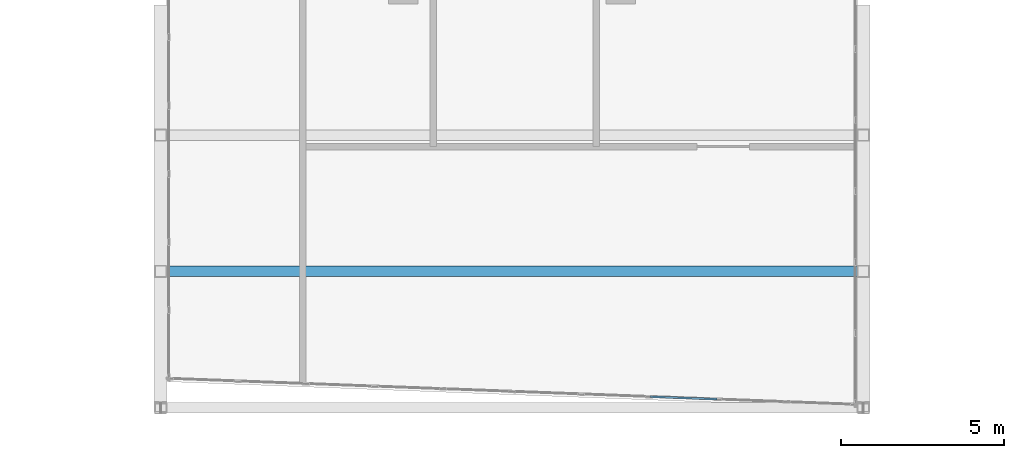
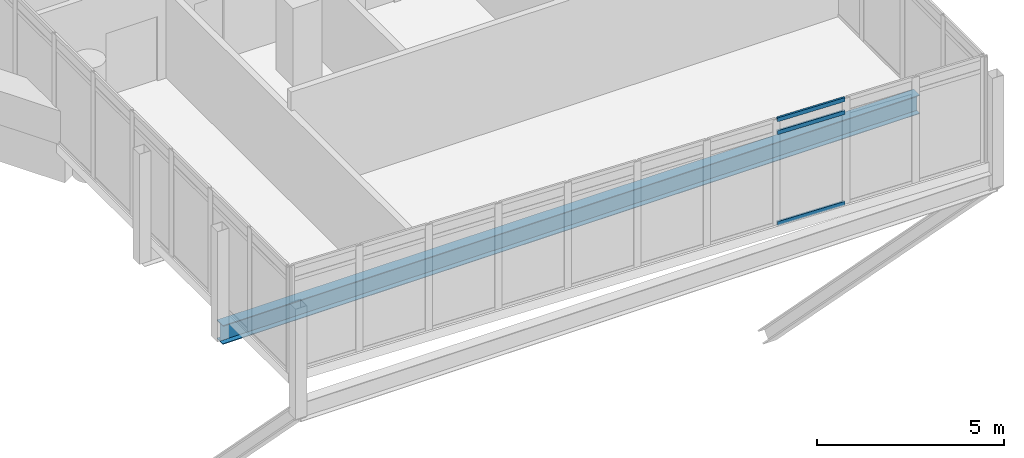
# One storey, part 7 of 34: 3 members, 1 beam, 1 element without a shape of its own.
"""IFC4 building model written with IfcOpenShell, lengths in metres."""

from ifc_helpers import new_model, si_unit, direction, frame, origin, origin_2d, place, context, subcontext, project, spatial, hollow_rectangle, i_section, extrude, material, material_profile, profile_set, type_object, element, aggregate, save


model = new_model("IFC4")

# Units and contexts
model_context = context("Model", 3, precision=1e-05, world=origin(), true_north=direction((0.0, 1.0)))
body_context = subcontext(model_context, "Body", "Model", "MODEL_VIEW")
ifc_project = project(units=[si_unit("LENGTHUNIT", "METRE"), si_unit("AREAUNIT", "SQUARE_METRE"), si_unit("VOLUMEUNIT", "CUBIC_METRE"), si_unit("PLANEANGLEUNIT", "RADIAN"), si_unit("MASSUNIT", "GRAM", prefix="KILO")], contexts=[model_context])

# Site, building, storey
site_placement = place(None, origin())
site = spatial("IfcSite", under=ifc_project, at=site_placement, CompositionType="ELEMENT")
building_placement = place(site_placement, origin())
building = spatial("IfcBuilding", under=site, at=building_placement, Name="Ostrander Bayou Hotel Tower", CompositionType="ELEMENT")
storey_placement = place(building_placement, frame((0.0, 0.0, 222.0)))
storey = spatial("IfcBuildingStorey", under=building, at=storey_placement, Name="L55", CompositionType="ELEMENT", Elevation=222.0)

# Curtain wall, members
ifc_material_1 = material(Name="Aluminium and clear glass", Category="aluminium")
curtain_wall_type = type_object("IfcCurtainWallType", Name="CW-BAR glazed wall", PredefinedType="NOTDEFINED", material=ifc_material_1)
curtain_wall_placement = place(storey_placement, origin())
curtain_wall = element("IfcCurtainWall", 1, at=curtain_wall_placement, inside=storey, type_object=curtain_wall_type, Name="CW-BAR L55:SB5S:T", PredefinedType="NOTDEFINED")
ifc_material_2 = material(Name="Aluminium", Category="aluminium")
ifc_material_profile_1 = material_profile(ifc_material_2, hollow_rectangle(XDim=0.06005859375, YDim=0.1298828125, WallThickness=0.00390625, at=origin_2d()))
ifc_profile_set_1 = profile_set([ifc_material_profile_1], Name="Aluminium")
member_type = type_object("IfcMemberType", Name="CW-BR transom 60 x 130 mm", PredefinedType="USERDEFINED", material=ifc_profile_set_1)
member_1_placement = place(storey_placement, frame((4.23486328125, -29.159912109375, 0.030029296875), z_axis=(0.99928289053, -0.037864293127, 0.0), x_axis=(0.037864293127, 0.99928289053, 0.0)))
member_1 = element("IfcMember", 2, at=member_1_placement, type_object=member_type, Name="CW-BAR transom 8.1", ObjectType="TRANSOM", PredefinedType="USERDEFINED", context=body_context, shape_type="SweptSolid", body=[
    extrude(hollow_rectangle(XDim=0.06005859375, YDim=0.1298828125, WallThickness=0.00390625, at=origin_2d()), origin(), (0.0, 0.0, 1.0), 2.0439453125),
])
member_2_placement = place(storey_placement, frame((4.23486328125, -29.159912109375, 3.0), z_axis=(0.99928289053, -0.037864293127, 0.0), x_axis=(0.037864293127, 0.99928289053, 0.0)))
member_2 = element("IfcMember", 3, at=member_2_placement, type_object=member_type, Name="CW-BAR transom 8.2", ObjectType="TRANSOM", PredefinedType="USERDEFINED", context=body_context, shape_type="SweptSolid", body=[
    extrude(hollow_rectangle(XDim=0.06005859375, YDim=0.1298828125, WallThickness=0.00390625, at=origin_2d()), origin(), (0.0, 0.0, 1.0), 2.0439453125),
])
member_3_placement = place(storey_placement, frame((4.23486328125, -29.159912109375, 3.419921875), z_axis=(0.99928289053, -0.037864293127, 0.0), x_axis=(0.037864293127, 0.99928289053, 0.0)))
member_3 = element("IfcMember", 4, at=member_3_placement, type_object=member_type, Name="CW-BAR transom 8.3", ObjectType="TRANSOM", PredefinedType="USERDEFINED", context=body_context, shape_type="SweptSolid", body=[
    extrude(hollow_rectangle(XDim=0.06005859375, YDim=0.1298828125, WallThickness=0.00390625, at=origin_2d()), origin(), (0.0, 0.0, 1.0), 2.0439453125),
])
aggregate(curtain_wall, [member_1, member_2, member_3])

# Beam
ifc_material_3 = material(Name="Steel ASTM A992", Category="steel")
ifc_material_profile_2 = material_profile(ifc_material_3, i_section(OverallWidth=0.32373046875, OverallDepth=0.611083984375, WebThickness=0.0126953125, FlangeThickness=0.01904296875, at=origin_2d()))
ifc_profile_set_2 = profile_set([ifc_material_profile_2], Name="Steel ASTM A992")
beam_type = type_object("IfcBeamType", Name="TF2 bar floor beam W24x104", PredefinedType="BEAM", material=ifc_profile_set_2)
beam_placement = place(storey_placement, frame((-10.764892578125, -25.32373046875, -0.605712890625), z_axis=(1.0, 0.0, 0.0), x_axis=(0.0, 1.0, 0.0)))
element("IfcBeam", 5, at=beam_placement, inside=storey, type_object=beam_type, Name="TF2 SB5S L1-2", PredefinedType="BEAM", context=body_context, shape_type="SweptSolid", body=[
    extrude(i_section(OverallWidth=0.32373046875, OverallDepth=0.611083984375, WebThickness=0.0126953125, FlangeThickness=0.01904296875, at=origin_2d()), origin(), (0.0, 0.0, 1.0), 21.52978515625),
])

save(model, "model.ifc")
